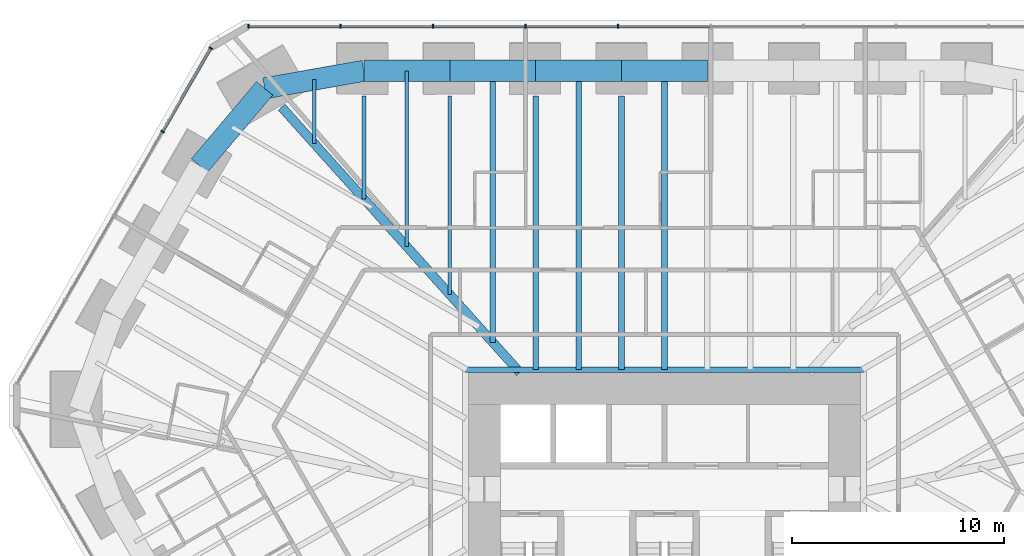
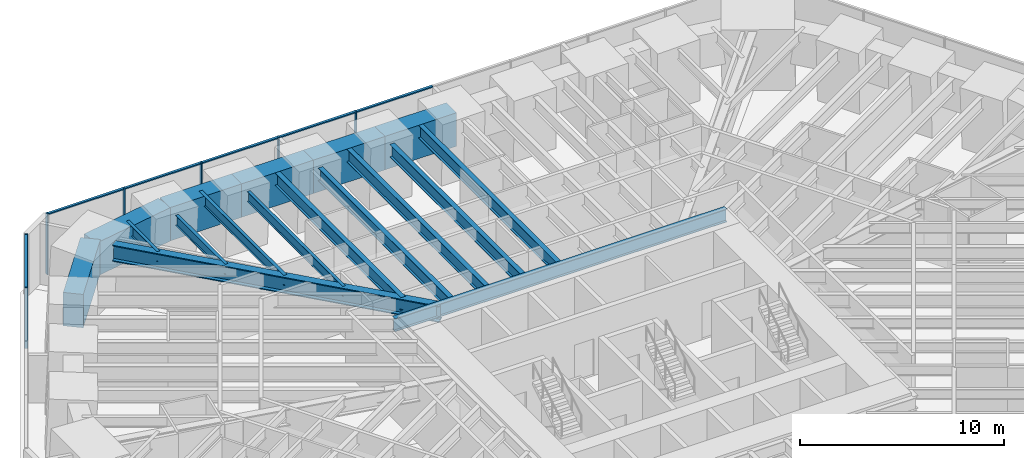
# One storey, part 8 of 17: 17 beams, 13 members, 2 elements without a shape of their own.
"""IFC4 building model written with IfcOpenShell, lengths in metres."""

from ifc_helpers import new_model, si_unit, direction, frame, origin, origin_2d, place, context, subcontext, project, spatial, rectangle, i_section, extrude, material, material_profile, profile_set, type_object, element, aggregate, save


model = new_model("IFC4")

# Units and contexts
model_context = context("Model", 3, precision=1e-05, world=origin(), true_north=direction((0.0, 1.0)))
body_context = subcontext(model_context, "Body", "Model", "MODEL_VIEW")
ifc_project = project(units=[si_unit("LENGTHUNIT", "METRE"), si_unit("AREAUNIT", "SQUARE_METRE"), si_unit("VOLUMEUNIT", "CUBIC_METRE"), si_unit("PLANEANGLEUNIT", "RADIAN"), si_unit("MASSUNIT", "GRAM", prefix="KILO")], contexts=[model_context])

# Site, building, storey
site_placement = place(None, origin())
site = spatial("IfcSite", under=ifc_project, at=site_placement, CompositionType="ELEMENT")
building_placement = place(site_placement, origin())
building = spatial("IfcBuilding", under=site, at=building_placement, Name="Sandreach Pilgrim Tower", CompositionType="ELEMENT")
storey_placement = place(building_placement, frame((0.0, 0.0, 76.199951171875)))
storey = spatial("IfcBuildingStorey", under=building, at=storey_placement, Name="L18", CompositionType="ELEMENT", Elevation=76.199951171875)

# Curtain wall, members
ifc_material_1 = material(Name="Aluminium framed curtain wall", Category="aluminium")
curtain_wall_type = type_object("IfcCurtainWallType", Name="Hostel tower curtain wall", PredefinedType="NOTDEFINED", material=ifc_material_1)
curtain_wall_1_placement = place(storey_placement, origin())
curtain_wall_1 = element("IfcCurtainWall", 1, at=curtain_wall_1_placement, inside=storey, type_object=curtain_wall_type, Name="CW-1 L18 N", PredefinedType="NOTDEFINED")
ifc_material_2 = material(Name="Aluminium extrusion", Category="aluminium")
ifc_material_profile_1 = material_profile(ifc_material_2, rectangle(XDim=0.06494140625, YDim=0.179931640625, at=origin_2d()), Name="CW-1M 65X180")
ifc_profile_set_1 = profile_set([ifc_material_profile_1], Name="Aluminium extrusion")
member_type_1 = type_object("IfcMemberType", Name="CW-1 mullion", PredefinedType="MULLION", material=ifc_profile_set_1)
member_1_placement = place(storey_placement, frame((-19.6396484375, 23.94873046875, 0.0), z_axis=(0.0, 0.0, 1.0), x_axis=(1.0, 0.0, 0.0)))
member_1 = element("IfcMember", 2, at=member_1_placement, type_object=member_type_1, Name="CW-1 mullion 1", PredefinedType="MULLION", context=body_context, shape_type="SweptSolid", body=[
    extrude(rectangle(XDim=0.06494140625, YDim=0.179931640625, at=origin_2d()), origin(), (0.0, 0.0, 1.0), 3.64013671875),
])
member_2_placement = place(storey_placement, frame((-15.300537109375, 23.94873046875, 0.0), z_axis=(0.0, 0.0, 1.0), x_axis=(1.0, 0.0, 0.0)))
member_2 = element("IfcMember", 3, at=member_2_placement, type_object=member_type_1, Name="CW-1 mullion 2", PredefinedType="MULLION", context=body_context, shape_type="SweptSolid", body=[
    extrude(rectangle(XDim=0.06494140625, YDim=0.179931640625, at=origin_2d()), origin(), (0.0, 0.0, 1.0), 3.64013671875),
])
member_3_placement = place(storey_placement, frame((-10.928955078125, 23.94873046875, 0.0), z_axis=(0.0, 0.0, 1.0), x_axis=(1.0, 0.0, 0.0)))
member_3 = element("IfcMember", 4, at=member_3_placement, type_object=member_type_1, Name="CW-1 mullion 3", PredefinedType="MULLION", context=body_context, shape_type="SweptSolid", body=[
    extrude(rectangle(XDim=0.06494140625, YDim=0.179931640625, at=origin_2d()), origin(), (0.0, 0.0, 1.0), 3.64013671875),
])
member_4_placement = place(storey_placement, frame((-6.557373046875, 23.94873046875, 0.0), z_axis=(0.0, 0.0, 1.0), x_axis=(1.0, 0.0, 0.0)))
member_4 = element("IfcMember", 5, at=member_4_placement, type_object=member_type_1, Name="CW-1 mullion 4", PredefinedType="MULLION", context=body_context, shape_type="SweptSolid", body=[
    extrude(rectangle(XDim=0.06494140625, YDim=0.179931640625, at=origin_2d()), origin(), (0.0, 0.0, 1.0), 3.64013671875),
])
member_5_placement = place(storey_placement, frame((-2.185791015625, 23.94873046875, 0.0), z_axis=(0.0, 0.0, 1.0), x_axis=(1.0, 0.0, 0.0)))
member_5 = element("IfcMember", 6, at=member_5_placement, type_object=member_type_1, Name="CW-1 mullion 5", PredefinedType="MULLION", context=body_context, shape_type="SweptSolid", body=[
    extrude(rectangle(XDim=0.06494140625, YDim=0.179931640625, at=origin_2d()), origin(), (0.0, 0.0, 1.0), 3.64013671875),
])

curtain_wall_2_placement = place(storey_placement, origin())
curtain_wall_2 = element("IfcCurtainWall", 7, at=curtain_wall_2_placement, inside=storey, type_object=curtain_wall_type, Name="CW-1 L18 NW", PredefinedType="NOTDEFINED")
member_6_placement = place(storey_placement, frame((-23.697265625, 18.97705078125, 0.0), z_axis=(0.0, 0.0, 1.0), x_axis=(0.5, 0.866025403784, 0.0)))
member_6 = element("IfcMember", 8, at=member_6_placement, type_object=member_type_1, Name="CW-1 mullion 4", PredefinedType="MULLION", context=body_context, shape_type="SweptSolid", body=[
    extrude(rectangle(XDim=0.06494140625, YDim=0.179931640625, at=origin_2d()), origin(), (0.0, 0.0, 1.0), 3.64013671875),
])
member_7_placement = place(storey_placement, frame((-21.42041015625, 22.920654296875, 0.0), z_axis=(0.0, 0.0, 1.0), x_axis=(0.5, 0.866025403784, 0.0)))
member_7 = element("IfcMember", 9, at=member_7_placement, type_object=member_type_1, Name="CW-1 mullion 5", PredefinedType="MULLION", context=body_context, shape_type="SweptSolid", body=[
    extrude(rectangle(XDim=0.06494140625, YDim=0.179931640625, at=origin_2d()), origin(), (0.0, 0.0, 1.0), 3.64013671875),
])

# Member
ifc_material_3 = material(Name="Aluminium extrusion", Category="aluminium")
ifc_material_profile_2 = material_profile(ifc_material_3, rectangle(XDim=0.139892578125, YDim=0.070068359375, at=origin_2d()), Name="CW-1T 140X70")
ifc_profile_set_2 = profile_set([ifc_material_profile_2], Name="Aluminium extrusion")
member_type_2 = type_object("IfcMemberType", Name="CW-1 transom", PredefinedType="USERDEFINED", material=ifc_profile_set_2)
member_8_placement = place(storey_placement, frame((-19.607177734375, 23.94873046875, 3.60498046875), z_axis=(1.0, 0.0, 0.0), x_axis=(0.0, 1.0, 0.0)))
member_8 = element("IfcMember", 10, at=member_8_placement, type_object=member_type_2, Name="CW-1 head transom 1", ObjectType="TRANSOM", PredefinedType="USERDEFINED", context=body_context, shape_type="SweptSolid", body=[
    extrude(rectangle(XDim=0.139892578125, YDim=0.070068359375, at=origin_2d()), origin(), (0.0, 0.0, 1.0), 4.274169921875),
])

member_9_placement = place(storey_placement, frame((-15.26806640625, 23.94873046875, 3.60498046875), z_axis=(1.0, 0.0, 0.0), x_axis=(0.0, 1.0, 0.0)))
member_9 = element("IfcMember", 11, at=member_9_placement, type_object=member_type_2, Name="CW-1 head transom 2", ObjectType="TRANSOM", PredefinedType="USERDEFINED", context=body_context, shape_type="SweptSolid", body=[
    extrude(rectangle(XDim=0.139892578125, YDim=0.070068359375, at=origin_2d()), origin(), (0.0, 0.0, 1.0), 4.306640625),
])

member_10_placement = place(storey_placement, frame((-10.896484375, 23.94873046875, 3.60498046875), z_axis=(1.0, 0.0, 0.0), x_axis=(0.0, 1.0, 0.0)))
member_10 = element("IfcMember", 12, at=member_10_placement, type_object=member_type_2, Name="CW-1 head transom 3", ObjectType="TRANSOM", PredefinedType="USERDEFINED", context=body_context, shape_type="SweptSolid", body=[
    extrude(rectangle(XDim=0.139892578125, YDim=0.070068359375, at=origin_2d()), origin(), (0.0, 0.0, 1.0), 4.306640625),
])

member_11_placement = place(storey_placement, frame((-6.52490234375, 23.94873046875, 3.60498046875), z_axis=(1.0, 0.0, 0.0), x_axis=(0.0, 1.0, 0.0)))
member_11 = element("IfcMember", 13, at=member_11_placement, type_object=member_type_2, Name="CW-1 head transom 4", ObjectType="TRANSOM", PredefinedType="USERDEFINED", context=body_context, shape_type="SweptSolid", body=[
    extrude(rectangle(XDim=0.139892578125, YDim=0.070068359375, at=origin_2d()), origin(), (0.0, 0.0, 1.0), 4.306640625),
])

member_12_placement = place(storey_placement, frame((-2.1533203125, 23.94873046875, 3.60498046875), z_axis=(1.0, 0.0, 0.0), x_axis=(0.0, 1.0, 0.0)))
member_12 = element("IfcMember", 14, at=member_12_placement, type_object=member_type_2, Name="CW-1 head transom 5", ObjectType="TRANSOM", PredefinedType="USERDEFINED", context=body_context, shape_type="SweptSolid", body=[
    extrude(rectangle(XDim=0.139892578125, YDim=0.070068359375, at=origin_2d()), origin(), (0.0, 0.0, 1.0), 4.306640625),
])

aggregate(curtain_wall_1, [member_1, member_2, member_3, member_4, member_5, member_8, member_9, member_10, member_11, member_12])

member_13_placement = place(storey_placement, frame((-23.680908203125, 19.005126953125, 3.60498046875), z_axis=(0.500017500808, 0.866015299452, 0.0), x_axis=(-0.866015299452, 0.500017500808, 0.0)))
member_13 = element("IfcMember", 15, at=member_13_placement, type_object=member_type_2, Name="CW-1 head transom 4", ObjectType="TRANSOM", PredefinedType="USERDEFINED", context=body_context, shape_type="SweptSolid", body=[
    extrude(rectangle(XDim=0.139892578125, YDim=0.070068359375, at=origin_2d()), origin(), (0.0, 0.0, 1.0), 4.488525390625),
])

aggregate(curtain_wall_2, [member_6, member_7, member_13])

# Beams
ifc_material_4 = material(Name="Steel ASTM A992 Grade 50", Category="steel")
ifc_material_profile_3 = material_profile(ifc_material_4, i_section(OverallWidth=0.2666015625, OverallDepth=0.77978515625, WebThickness=0.0166015625, FlangeThickness=0.030029296875, at=origin_2d()), Name="W30X148")
ifc_profile_set_3 = profile_set([ifc_material_profile_3], Name="Steel ASTM A992 Grade 50")
beam_type_1 = type_object("IfcBeamType", Name="Core edge beam W30X148", PredefinedType="BEAM", material=ifc_profile_set_3)
beam_1_placement = place(storey_placement, frame((-9.393310546875, 7.743408203125, 3.250244140625), z_axis=(1.0, 0.0, 0.0), x_axis=(0.0, 1.0, 0.0)))
element("IfcBeam", 16, at=beam_1_placement, inside=storey, type_object=beam_type_1, Name="BM L18 CEN", PredefinedType="BEAM", context=body_context, shape_type="SweptSolid", body=[
    extrude(i_section(OverallWidth=0.2666015625, OverallDepth=0.77978515625, WebThickness=0.0166015625, FlangeThickness=0.030029296875, at=origin_2d()), origin(), (0.0, 0.0, 1.0), 18.78662109375),
])
ifc_material_5 = material(Name="Steel ASTM A992 Grade 50", Category="steel")
ifc_material_profile_4 = material_profile(ifc_material_5, i_section(OverallWidth=0.4267578125, OverallDepth=0.975341796875, WebThickness=0.031005859375, FlangeThickness=0.055908203125, at=origin_2d()), Name="W36X395")
ifc_profile_set_4 = profile_set([ifc_material_profile_4], Name="Steel ASTM A992 Grade 50")
beam_type_2 = type_object("IfcBeamType", Name="Corner girder W36X395", PredefinedType="BEAM", material=ifc_profile_set_4)
beam_2_placement = place(storey_placement, frame((-18.0751953125, 20.129638671875, 3.15234375), z_axis=(0.668124063218, -0.744049888213, 0.0), x_axis=(0.744049888213, 0.668124063218, 0.0)))
element("IfcBeam", 17, at=beam_2_placement, inside=storey, type_object=beam_type_2, Name="BM L18 CG39", PredefinedType="BEAM", context=body_context, shape_type="SweptSolid", body=[
    extrude(i_section(OverallWidth=0.4267578125, OverallDepth=0.975341796875, WebThickness=0.031005859375, FlangeThickness=0.055908203125, at=origin_2d()), origin(), (0.0, 0.0, 1.0), 16.839599609375),
])
ifc_material_6 = material(Name="Steel ASTM A992 Grade 50", Category="steel")
ifc_material_profile_5 = material_profile(ifc_material_6, i_section(OverallWidth=0.1787109375, OverallDepth=0.60205078125, WebThickness=0.010986328125, FlangeThickness=0.014892578125, at=origin_2d()), Name="W24X62")
ifc_profile_set_5 = profile_set([ifc_material_profile_5], Name="Steel ASTM A992 Grade 50")
beam_type_3 = type_object("IfcBeamType", Name="Floor beam W24X62", PredefinedType="BEAM", material=ifc_profile_set_5)
beam_3_placement = place(storey_placement, frame((-14.190673828125, 20.651123046875, 3.339111328125), z_axis=(0.0, -1.0, 0.0), x_axis=(1.0, 0.0, 0.0)))
element("IfcBeam", 18, at=beam_3_placement, inside=storey, type_object=beam_type_3, Name="BM L18 F01", PredefinedType="BEAM", context=body_context, shape_type="SweptSolid", body=[
    extrude(i_section(OverallWidth=0.1787109375, OverallDepth=0.60205078125, WebThickness=0.010986328125, FlangeThickness=0.014892578125, at=origin_2d()), origin(), (0.0, 0.0, 1.0), 4.847412109375),
])
beam_4_placement = place(storey_placement, frame((-10.13623046875, 20.651123046875, 3.339111328125), z_axis=(0.0, -1.0, 0.0), x_axis=(1.0, 0.0, 0.0)))
element("IfcBeam", 19, at=beam_4_placement, inside=storey, type_object=beam_type_3, Name="BM L18 F02", PredefinedType="BEAM", context=body_context, shape_type="SweptSolid", body=[
    extrude(i_section(OverallWidth=0.1787109375, OverallDepth=0.60205078125, WebThickness=0.010986328125, FlangeThickness=0.014892578125, at=origin_2d()), origin(), (0.0, 0.0, 1.0), 9.36279296875),
])
beam_5_placement = place(storey_placement, frame((-12.16357421875, 21.85107421875, 3.339111328125), z_axis=(0.0, -1.0, 0.0), x_axis=(1.0, 0.0, 0.0)))
element("IfcBeam", 20, at=beam_5_placement, inside=storey, type_object=beam_type_3, Name="BM L18 FM01", PredefinedType="BEAM", context=body_context, shape_type="SweptSolid", body=[
    extrude(i_section(OverallWidth=0.1787109375, OverallDepth=0.60205078125, WebThickness=0.010986328125, FlangeThickness=0.014892578125, at=origin_2d()), origin(), (0.0, 0.0, 1.0), 8.30517578125),
])
beam_6_placement = place(storey_placement, frame((-16.53369140625, 21.436767578125, 3.339111328125), z_axis=(0.0, -1.0, 0.0), x_axis=(1.0, 0.0, 0.0)))
element("IfcBeam", 21, at=beam_6_placement, inside=storey, type_object=beam_type_3, Name="BM L18 FM39", PredefinedType="BEAM", context=body_context, shape_type="SweptSolid", body=[
    extrude(i_section(OverallWidth=0.1787109375, OverallDepth=0.60205078125, WebThickness=0.010986328125, FlangeThickness=0.014892578125, at=origin_2d()), origin(), (0.0, 0.0, 1.0), 3.023681640625),
])
ifc_material_7 = material(Name="Steel ASTM A992 Grade 50", Category="steel")
ifc_material_profile_6 = material_profile(ifc_material_7, i_section(OverallWidth=0.2666015625, OverallDepth=0.761962890625, WebThickness=0.014404296875, FlangeThickness=0.021484375, at=origin_2d()), Name="W30X116")
ifc_profile_set_6 = profile_set([ifc_material_profile_6], Name="Steel ASTM A992 Grade 50")
beam_type_4 = type_object("IfcBeamType", Name="Floor beam W30X116", PredefinedType="BEAM", material=ifc_profile_set_6)
for number, where, z_axis, x_axis, name in (
    (22, (-6.081787109375, 20.651123046875, 3.259033203125), (0.0, -1.0, 0.0), (1.0, 0.0, 0.0), "BM L18 F03"),
    (23, (-2.02734375, 20.651123046875, 3.259033203125), (0.0, -1.0, 0.0), (1.0, 0.0, 0.0), "BM L18 F04"),
):
    element("IfcBeam", number, at=place(storey_placement, frame(where, z_axis=z_axis, x_axis=x_axis)), inside=storey, type_object=beam_type_4, Name=name, PredefinedType="BEAM", context=body_context, shape_type="SweptSolid", body=[
        extrude(i_section(OverallWidth=0.2666015625, OverallDepth=0.761962890625, WebThickness=0.014404296875, FlangeThickness=0.021484375, at=origin_2d()), origin(), (0.0, 0.0, 1.0), 12.90771484375),
    ])
beam_7_placement = place(storey_placement, frame((-8.10888671875, 21.85107421875, 3.259033203125), z_axis=(0.0, -1.0, 0.0), x_axis=(1.0, 0.0, 0.0)))
element("IfcBeam", 24, at=beam_7_placement, inside=storey, type_object=beam_type_4, Name="BM L18 FM02", PredefinedType="BEAM", context=body_context, shape_type="SweptSolid", body=[
    extrude(i_section(OverallWidth=0.2666015625, OverallDepth=0.761962890625, WebThickness=0.014404296875, FlangeThickness=0.021484375, at=origin_2d()), origin(), (0.0, 0.0, 1.0), 12.8203125),
])
for number, where, z_axis, x_axis, name in (
    (25, (-4.054443359375, 21.85107421875, 3.259033203125), (0.0, -1.0, 0.0), (1.0, 0.0, 0.0), "BM L18 FM03"),
    (26, (0.0, 21.85107421875, 3.259033203125), (0.0, -1.0, 0.0), (1.0, 0.0, 0.0), "BM L18 FM04"),
):
    element("IfcBeam", number, at=place(storey_placement, frame(where, z_axis=z_axis, x_axis=x_axis)), inside=storey, type_object=beam_type_4, Name=name, PredefinedType="BEAM", context=body_context, shape_type="SweptSolid", body=[
        extrude(i_section(OverallWidth=0.2666015625, OverallDepth=0.761962890625, WebThickness=0.014404296875, FlangeThickness=0.021484375, at=origin_2d()), origin(), (0.0, 0.0, 1.0), 14.107666015625),
    ])
ifc_material_8 = material(Name="Concrete 10000 psi", Category="concrete")
ifc_material_profile_7 = material_profile(ifc_material_8, rectangle(XDim=1.0, YDim=2.0, at=origin_2d()), Name="RC1000X2000")
ifc_profile_set_7 = profile_set([ifc_material_profile_7], Name="Concrete 10000 psi")
beam_type_5 = type_object("IfcBeamType", Name="Spandrel beam RC1000X2000", PredefinedType="SPANDREL", material=ifc_profile_set_7)
for number, where, z_axis, x_axis, name in (
    (27, (-14.190673828125, 21.85107421875, 2.64013671875), (1.0, 0.0, 0.0), (0.0, 1.0, 0.0), "BM L18 SP01"),
    (28, (-10.13623046875, 21.85107421875, 2.64013671875), (1.0, 0.0, 0.0), (0.0, 1.0, 0.0), "BM L18 SP02"),
    (29, (-6.081787109375, 21.85107421875, 2.64013671875), (1.0, 0.0, 0.0), (0.0, 1.0, 0.0), "BM L18 SP03"),
):
    element("IfcBeam", number, at=place(storey_placement, frame(where, z_axis=z_axis, x_axis=x_axis)), inside=storey, type_object=beam_type_5, Name=name, PredefinedType="SPANDREL", context=body_context, shape_type="SweptSolid", body=[
        extrude(rectangle(XDim=1.0, YDim=2.0, at=origin_2d()), origin(), (0.0, 0.0, 1.0), 4.054443359375),
    ])
beam_8_placement = place(storey_placement, frame((-2.02734375, 21.85107421875, 2.64013671875), z_axis=(1.0, 0.0, 0.0), x_axis=(0.0, 1.0, 0.0)))
element("IfcBeam", 30, at=beam_8_placement, inside=storey, type_object=beam_type_5, Name="BM L18 SP04", PredefinedType="SPANDREL", context=body_context, shape_type="SweptSolid", body=[
    extrude(rectangle(XDim=1.0, YDim=2.0, at=origin_2d()), origin(), (0.0, 0.0, 1.0), 4.0546875),
])
beam_9_placement = place(storey_placement, frame((-21.9580078125, 17.375244140625, 2.64013671875), z_axis=(0.64532541154, 0.763907791046, 0.0), x_axis=(-0.763907791046, 0.64532541154, 0.0)))
element("IfcBeam", 31, at=beam_9_placement, inside=storey, type_object=beam_type_5, Name="BM L18 SP38", PredefinedType="SPANDREL", context=body_context, shape_type="SweptSolid", body=[
    extrude(rectangle(XDim=1.0, YDim=2.0, at=origin_2d()), origin(), (0.0, 0.0, 1.0), 4.7744140625),
])
beam_10_placement = place(storey_placement, frame((-18.876953125, 21.0224609375, 2.64013671875), z_axis=(0.984725143954, 0.174116027016, 0.0), x_axis=(-0.174116027016, 0.984725143954, 0.0)))
element("IfcBeam", 32, at=beam_10_placement, inside=storey, type_object=beam_type_5, Name="BM L18 SP39", PredefinedType="SPANDREL", context=body_context, shape_type="SweptSolid", body=[
    extrude(rectangle(XDim=1.0, YDim=2.0, at=origin_2d()), origin(), (0.0, 0.0, 1.0), 4.759033203125),
])

save(model, "model.ifc")
